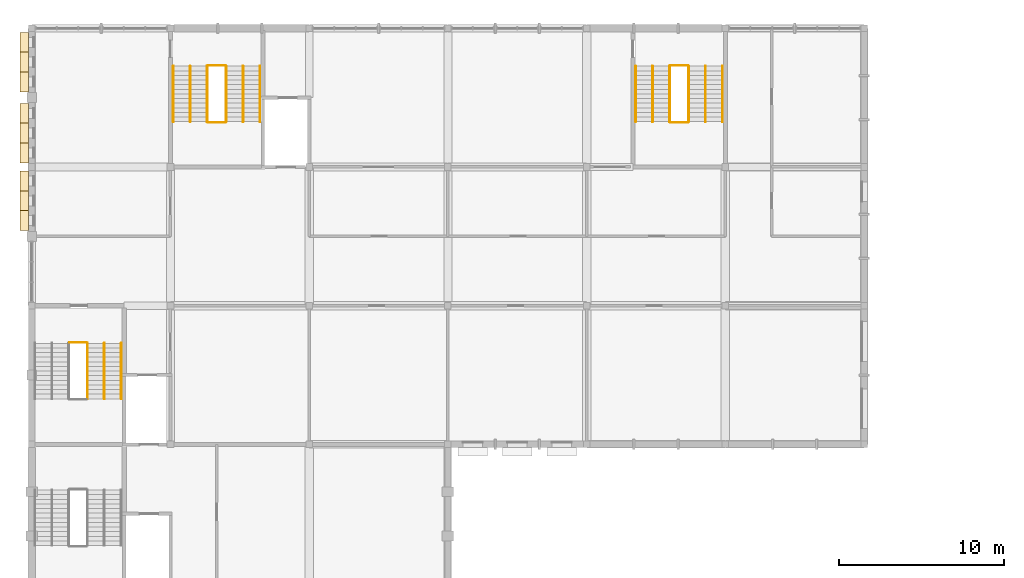
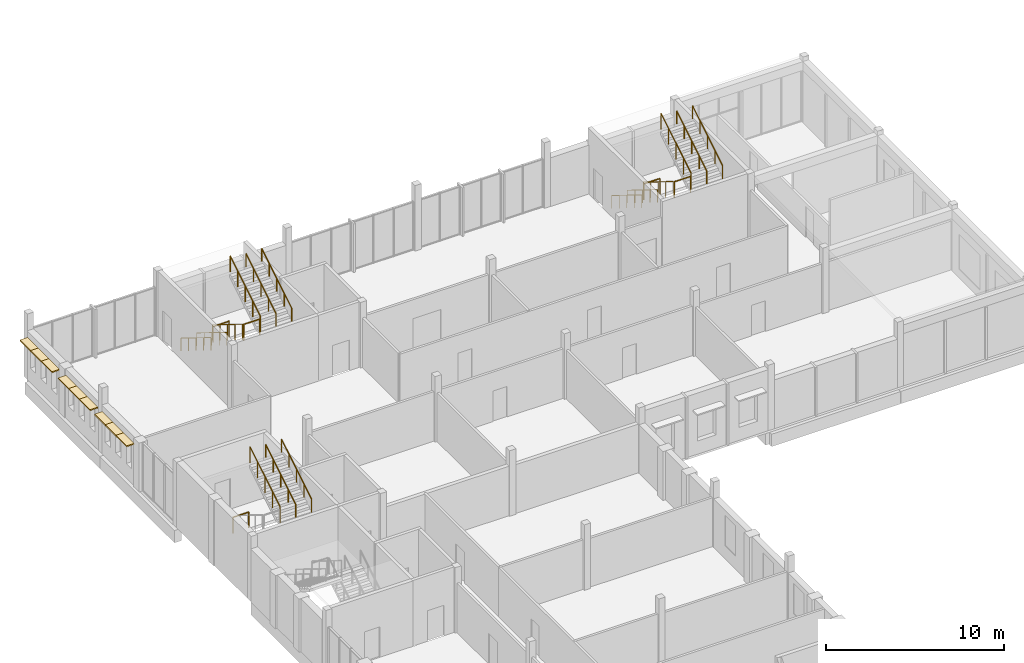
# One storey, part 22 of 22: 20 railings, 9 coverings.
"""IFC4 building model written with IfcOpenShell, lengths in metres."""

from ifc_helpers import new_model, si_unit, direction, frame, origin, origin_2d, place, context, subcontext, project, spatial, rectangle, circle, extrude, material, layer, layer_set, type_object, element, save


model = new_model("IFC4")

# Units and contexts
model_context = context("Model", 3, precision=1e-05, world=origin(), true_north=direction((0.0, 1.0)))
body_context = subcontext(model_context, "Body", "Model", "MODEL_VIEW")
ifc_project = project(units=[si_unit("LENGTHUNIT", "METRE"), si_unit("AREAUNIT", "SQUARE_METRE"), si_unit("VOLUMEUNIT", "CUBIC_METRE"), si_unit("PLANEANGLEUNIT", "RADIAN"), si_unit("MASSUNIT", "GRAM", prefix="KILO")], contexts=[model_context])

# Site, building, storey
site_placement = place(None, origin())
site = spatial("IfcSite", under=ifc_project, at=site_placement, CompositionType="ELEMENT")
building_placement = place(site_placement, origin())
building = spatial("IfcBuilding", under=site, at=building_placement, Name="Fescue Hill Polytechnic", CompositionType="ELEMENT")
storey_placement = place(building_placement, frame((0.0, 0.0, 27.0)))
storey = spatial("IfcBuildingStorey", under=building, at=storey_placement, Name="L06", CompositionType="ELEMENT", Elevation=27.0)

# Coverings
ifc_material_1 = material(Name="Precast concrete C40/50", Category="concrete")
ifc_layer = layer(ifc_material_1, 0.080078125)
ifc_layer_set = layer_set([ifc_layer], Name="Precast concrete C40/50")
covering_type = type_object("IfcCoveringType", Name="Shade blade precast 500x80", PredefinedType="CLADDING", material=ifc_layer_set)
for number, where, z_axis, x_axis, name in (
    (1, (-0.4599609375, 133.550048828125, 2.849853515625), (0.0, 0.0, 1.0), (0.0, -1.0, 0.0), "SB-L06-V5-1"),
    (2, (-0.4599609375, 132.35009765625, 2.849853515625), (0.0, 0.0, 1.0), (0.0, -1.0, 0.0), "SB-L06-V5-2"),
    (3, (-0.4599609375, 131.14990234375, 2.849853515625), (0.0, 0.0, 1.0), (0.0, -1.0, 0.0), "SB-L06-V5-3"),
    (4, (-0.4599609375, 129.25, 2.849853515625), (0.0, 0.0, 1.0), (0.0, -1.0, 0.0), "SB-L06-V5-4"),
    (5, (-0.4599609375, 128.050048828125, 2.849853515625), (0.0, 0.0, 1.0), (0.0, -1.0, 0.0), "SB-L06-V5-5"),
    (6, (-0.4599609375, 126.85009765625, 2.849853515625), (0.0, 0.0, 1.0), (0.0, -1.0, 0.0), "SB-L06-V5-6"),
    (7, (-0.4599609375, 125.14990234375, 2.849853515625), (0.0, 0.0, 1.0), (0.0, -1.0, 0.0), "SB-L06-V5-7"),
    (8, (-0.4599609375, 123.949951171875, 2.849853515625), (0.0, 0.0, 1.0), (0.0, -1.0, 0.0), "SB-L06-V5-8"),
    (9, (-0.4599609375, 122.75, 2.849853515625), (0.0, 0.0, 1.0), (0.0, -1.0, 0.0), "SB-L06-V5-9"),
):
    element("IfcCovering", number, at=place(storey_placement, frame(where, z_axis=z_axis, x_axis=x_axis)), inside=storey, type_object=covering_type, Name=name, PredefinedType="CLADDING", context=body_context, shape_type="SweptSolid", body=[
        extrude(rectangle(XDim=1.199951171875, YDim=0.5, at=origin_2d()), origin(), (0.0, 0.0, 1.0), 0.080078125),
    ])

# Railings
ifc_material_2 = material(Name="Steel 350W (350 MPa)", Category="steel")
railing_type_1 = type_object("IfcRailingType", Name="Stair guard steel 1100", PredefinedType="GUARDRAIL", material=ifc_material_2)
railing_1_placement = place(storey_placement, frame((3.375, 111.965087890625, 2.423095703125)))
element("IfcRailing", 10, at=railing_1_placement, inside=storey, type_object=railing_type_1, Name="L06 ST-V5-1 stair guard 3", PredefinedType="GUARDRAIL", context=body_context, shape_type="SweptSolid", body=[
    extrude(circle(Radius=0.02392578125, at=origin_2d()), frame((0.0, 0.0, 1.076171875), z_axis=(0.0, 0.850606129759, 0.525803396734), x_axis=(-1.0, 0.0, 0.0)), (0.0, 0.0, 1.0), 3.949951171875),
    extrude(circle(Radius=0.02099609375, at=origin_2d()), origin(), (0.0, 0.0, 1.0), 1.052001953125),
    extrude(circle(Radius=0.02099609375, at=origin_2d()), frame((0.0, 0.83984375, 0.519287109375)), (0.0, 0.0, 1.0), 1.052001953125),
    extrude(circle(Radius=0.02099609375, at=origin_2d()), frame((0.0, 1.679931640625, 1.03857421875)), (0.0, 0.0, 1.0), 1.052001953125),
    extrude(circle(Radius=0.02099609375, at=origin_2d()), frame((0.0, 2.52001953125, 1.5576171875)), (0.0, 0.0, 1.0), 1.052001953125),
    extrude(circle(Radius=0.02099609375, at=origin_2d()), frame((0.0, 3.35986328125, 2.076904296875)), (0.0, 0.0, 1.0), 1.052001953125),
])
railing_2_placement = place(storey_placement, frame((2.300048828125, 115.375, 0.0)))
element("IfcRailing", 11, at=railing_2_placement, inside=storey, type_object=railing_type_1, Name="L06 ST-V5-1 stair guard 4", PredefinedType="GUARDRAIL", context=body_context, shape_type="SweptSolid", body=[
    extrude(circle(Radius=0.02392578125, at=origin_2d()), frame((0.0, 0.0, 1.076171875), z_axis=(1.0, 0.0, 0.0), x_axis=(0.0, 1.0, 0.0)), (0.0, 0.0, 1.0), 1.02490234375),
    extrude(circle(Radius=0.02099609375, at=origin_2d()), origin(), (0.0, 0.0, 1.0), 1.052001953125),
    extrude(circle(Radius=0.02099609375, at=origin_2d()), frame((1.02490234375, 0.0, 0.0)), (0.0, 0.0, 1.0), 1.052001953125),
])
railing_3_placement = place(storey_placement, frame((38.625, 132.10009765625, 0.173095703125)))
element("IfcRailing", 12, at=railing_3_placement, inside=storey, type_object=railing_type_1, Name="L06 ST-V5-2 stair guard 1", PredefinedType="GUARDRAIL", context=body_context, shape_type="SweptSolid", body=[
    extrude(circle(Radius=0.02392578125, at=origin_2d()), frame((0.0, 0.0, 1.076171875), z_axis=(0.0, -0.850623216509, 0.525775754039), x_axis=(1.0, 0.0, 0.0)), (0.0, 0.0, 1.0), 3.9501953125),
    extrude(circle(Radius=0.02099609375, at=origin_2d()), origin(), (0.0, 0.0, 1.0), 1.052001953125),
    extrude(circle(Radius=0.02099609375, at=origin_2d()), frame((0.0, -0.840087890625, 0.519287109375)), (0.0, 0.0, 1.0), 1.052001953125),
    extrude(circle(Radius=0.02099609375, at=origin_2d()), frame((0.0, -1.68017578125, 1.03857421875)), (0.0, 0.0, 1.0), 1.052001953125),
    extrude(circle(Radius=0.02099609375, at=origin_2d()), frame((0.0, -2.52001953125, 1.5576171875)), (0.0, 0.0, 1.0), 1.052001953125),
    extrude(circle(Radius=0.02099609375, at=origin_2d()), frame((0.0, -3.360107421875, 2.076904296875)), (0.0, 0.0, 1.0), 1.052001953125),
])
railing_4_placement = place(storey_placement, frame((38.675048828125, 128.68994140625, 2.25)))
element("IfcRailing", 13, at=railing_4_placement, inside=storey, type_object=railing_type_1, Name="L06 ST-V5-2 stair guard 2", PredefinedType="GUARDRAIL", context=body_context, shape_type="SweptSolid", body=[
    extrude(circle(Radius=0.02392578125, at=origin_2d()), frame((0.0, 0.0, 1.076171875), z_axis=(1.0, 0.0, 0.0), x_axis=(0.0, 1.0, 0.0)), (0.0, 0.0, 1.0), 1.050048828125),
    extrude(circle(Radius=0.02099609375, at=origin_2d()), origin(), (0.0, 0.0, 1.0), 1.052001953125),
    extrude(circle(Radius=0.02099609375, at=origin_2d()), frame((1.050048828125, 0.0, 0.0)), (0.0, 0.0, 1.0), 1.052001953125),
])
railing_5_placement = place(storey_placement, frame((39.77490234375, 128.739990234375, 2.423095703125)))
element("IfcRailing", 14, at=railing_5_placement, inside=storey, type_object=railing_type_1, Name="L06 ST-V5-2 stair guard 3", PredefinedType="GUARDRAIL", context=body_context, shape_type="SweptSolid", body=[
    extrude(circle(Radius=0.02392578125, at=origin_2d()), frame((0.0, 0.0, 1.076171875), z_axis=(0.0, 0.850623216509, 0.525775754039), x_axis=(-1.0, 0.0, 0.0)), (0.0, 0.0, 1.0), 3.9501953125),
    extrude(circle(Radius=0.02099609375, at=origin_2d()), origin(), (0.0, 0.0, 1.0), 1.052001953125),
    extrude(circle(Radius=0.02099609375, at=origin_2d()), frame((0.0, 0.840087890625, 0.519287109375)), (0.0, 0.0, 1.0), 1.052001953125),
    extrude(circle(Radius=0.02099609375, at=origin_2d()), frame((0.0, 1.68017578125, 1.03857421875)), (0.0, 0.0, 1.0), 1.052001953125),
    extrude(circle(Radius=0.02099609375, at=origin_2d()), frame((0.0, 2.52001953125, 1.5576171875)), (0.0, 0.0, 1.0), 1.052001953125),
    extrude(circle(Radius=0.02099609375, at=origin_2d()), frame((0.0, 3.360107421875, 2.076904296875)), (0.0, 0.0, 1.0), 1.052001953125),
])
railing_6_placement = place(storey_placement, frame((38.675048828125, 132.14990234375, 0.0)))
element("IfcRailing", 15, at=railing_6_placement, inside=storey, type_object=railing_type_1, Name="L06 ST-V5-2 stair guard 4", PredefinedType="GUARDRAIL", context=body_context, shape_type="SweptSolid", body=[
    extrude(circle(Radius=0.02392578125, at=origin_2d()), frame((0.0, 0.0, 1.076171875), z_axis=(1.0, 0.0, 0.0), x_axis=(0.0, 1.0, 0.0)), (0.0, 0.0, 1.0), 1.050048828125),
    extrude(circle(Radius=0.02099609375, at=origin_2d()), origin(), (0.0, 0.0, 1.0), 1.052001953125),
    extrude(circle(Radius=0.02099609375, at=origin_2d()), frame((1.050048828125, 0.0, 0.0)), (0.0, 0.0, 1.0), 1.052001953125),
])
railing_7_placement = place(storey_placement, frame((10.625, 132.10009765625, 0.173095703125)))
element("IfcRailing", 16, at=railing_7_placement, inside=storey, type_object=railing_type_1, Name="L06 ST-V5-3 stair guard 1", PredefinedType="GUARDRAIL", context=body_context, shape_type="SweptSolid", body=[
    extrude(circle(Radius=0.02392578125, at=origin_2d()), frame((0.0, 0.0, 1.076171875), z_axis=(0.0, -0.850623216509, 0.525775754039), x_axis=(1.0, 0.0, 0.0)), (0.0, 0.0, 1.0), 3.9501953125),
    extrude(circle(Radius=0.02099609375, at=origin_2d()), origin(), (0.0, 0.0, 1.0), 1.052001953125),
    extrude(circle(Radius=0.02099609375, at=origin_2d()), frame((0.0, -0.840087890625, 0.519287109375)), (0.0, 0.0, 1.0), 1.052001953125),
    extrude(circle(Radius=0.02099609375, at=origin_2d()), frame((0.0, -1.68017578125, 1.03857421875)), (0.0, 0.0, 1.0), 1.052001953125),
    extrude(circle(Radius=0.02099609375, at=origin_2d()), frame((0.0, -2.52001953125, 1.5576171875)), (0.0, 0.0, 1.0), 1.052001953125),
    extrude(circle(Radius=0.02099609375, at=origin_2d()), frame((0.0, -3.360107421875, 2.076904296875)), (0.0, 0.0, 1.0), 1.052001953125),
])
railing_8_placement = place(storey_placement, frame((10.675048828125, 128.68994140625, 2.25)))
element("IfcRailing", 17, at=railing_8_placement, inside=storey, type_object=railing_type_1, Name="L06 ST-V5-3 stair guard 2", PredefinedType="GUARDRAIL", context=body_context, shape_type="SweptSolid", body=[
    extrude(circle(Radius=0.02392578125, at=origin_2d()), frame((0.0, 0.0, 1.076171875), z_axis=(1.0, 0.0, 0.0), x_axis=(0.0, 1.0, 0.0)), (0.0, 0.0, 1.0), 1.050048828125),
    extrude(circle(Radius=0.02099609375, at=origin_2d()), origin(), (0.0, 0.0, 1.0), 1.052001953125),
    extrude(circle(Radius=0.02099609375, at=origin_2d()), frame((1.050048828125, 0.0, 0.0)), (0.0, 0.0, 1.0), 1.052001953125),
])
railing_9_placement = place(storey_placement, frame((11.77490234375, 128.739990234375, 2.423095703125)))
element("IfcRailing", 18, at=railing_9_placement, inside=storey, type_object=railing_type_1, Name="L06 ST-V5-3 stair guard 3", PredefinedType="GUARDRAIL", context=body_context, shape_type="SweptSolid", body=[
    extrude(circle(Radius=0.02392578125, at=origin_2d()), frame((0.0, 0.0, 1.076171875), z_axis=(0.0, 0.850623216509, 0.525775754039), x_axis=(-1.0, 0.0, 0.0)), (0.0, 0.0, 1.0), 3.9501953125),
    extrude(circle(Radius=0.02099609375, at=origin_2d()), origin(), (0.0, 0.0, 1.0), 1.052001953125),
    extrude(circle(Radius=0.02099609375, at=origin_2d()), frame((0.0, 0.840087890625, 0.519287109375)), (0.0, 0.0, 1.0), 1.052001953125),
    extrude(circle(Radius=0.02099609375, at=origin_2d()), frame((0.0, 1.68017578125, 1.03857421875)), (0.0, 0.0, 1.0), 1.052001953125),
    extrude(circle(Radius=0.02099609375, at=origin_2d()), frame((0.0, 2.52001953125, 1.5576171875)), (0.0, 0.0, 1.0), 1.052001953125),
    extrude(circle(Radius=0.02099609375, at=origin_2d()), frame((0.0, 3.360107421875, 2.076904296875)), (0.0, 0.0, 1.0), 1.052001953125),
])
railing_10_placement = place(storey_placement, frame((10.675048828125, 132.14990234375, 0.0)))
element("IfcRailing", 19, at=railing_10_placement, inside=storey, type_object=railing_type_1, Name="L06 ST-V5-3 stair guard 4", PredefinedType="GUARDRAIL", context=body_context, shape_type="SweptSolid", body=[
    extrude(circle(Radius=0.02392578125, at=origin_2d()), frame((0.0, 0.0, 1.076171875), z_axis=(1.0, 0.0, 0.0), x_axis=(0.0, 1.0, 0.0)), (0.0, 0.0, 1.0), 1.050048828125),
    extrude(circle(Radius=0.02099609375, at=origin_2d()), origin(), (0.0, 0.0, 1.0), 1.052001953125),
    extrude(circle(Radius=0.02099609375, at=origin_2d()), frame((1.050048828125, 0.0, 0.0)), (0.0, 0.0, 1.0), 1.052001953125),
])
railing_type_2 = type_object("IfcRailingType", Name="Stair handrail steel 900", PredefinedType="HANDRAIL", material=ifc_material_2)
for number, where, name in (
    (20, (5.425048828125, 111.965087890625, 2.423095703125), "L06 ST-V5-1 stair handrail 2"),
    (21, (4.39990234375, 111.965087890625, 2.423095703125), "L06 ST-V5-1 stair handrail 4"),
):
    element("IfcRailing", number, at=place(storey_placement, frame(where)), inside=storey, type_object=railing_type_2, Name=name, PredefinedType="HANDRAIL", context=body_context, shape_type="SweptSolid", body=[
        extrude(circle(Radius=0.02392578125, at=origin_2d()), frame((0.0, 0.0, 0.8759765625), z_axis=(0.0, 0.850606129759, 0.525803396734), x_axis=(-1.0, 0.0, 0.0)), (0.0, 0.0, 1.0), 3.949951171875),
        extrude(circle(Radius=0.02099609375, at=origin_2d()), origin(), (0.0, 0.0, 1.0), 0.851806640625),
        extrude(circle(Radius=0.02099609375, at=origin_2d()), frame((0.0, 0.83984375, 0.519287109375)), (0.0, 0.0, 1.0), 0.851806640625),
        extrude(circle(Radius=0.02099609375, at=origin_2d()), frame((0.0, 1.679931640625, 1.03857421875)), (0.0, 0.0, 1.0), 0.851806640625),
        extrude(circle(Radius=0.02099609375, at=origin_2d()), frame((0.0, 2.52001953125, 1.5576171875)), (0.0, 0.0, 1.0), 0.851806640625),
        extrude(circle(Radius=0.02099609375, at=origin_2d()), frame((0.0, 3.35986328125, 2.076904296875)), (0.0, 0.0, 1.0), 0.851806640625),
    ])
railing_11_placement = place(storey_placement, frame((36.574951171875, 132.10009765625, 0.173095703125)))
element("IfcRailing", 22, at=railing_11_placement, inside=storey, type_object=railing_type_2, Name="L06 ST-V5-2 stair handrail 1", PredefinedType="HANDRAIL", context=body_context, shape_type="SweptSolid", body=[
    extrude(circle(Radius=0.02392578125, at=origin_2d()), frame((0.0, 0.0, 0.8759765625), z_axis=(0.0, -0.850623216509, 0.525775754039), x_axis=(1.0, 0.0, 0.0)), (0.0, 0.0, 1.0), 3.9501953125),
    extrude(circle(Radius=0.02099609375, at=origin_2d()), origin(), (0.0, 0.0, 1.0), 0.851806640625),
    extrude(circle(Radius=0.02099609375, at=origin_2d()), frame((0.0, -0.840087890625, 0.519287109375)), (0.0, 0.0, 1.0), 0.851806640625),
    extrude(circle(Radius=0.02099609375, at=origin_2d()), frame((0.0, -1.68017578125, 1.03857421875)), (0.0, 0.0, 1.0), 0.851806640625),
    extrude(circle(Radius=0.02099609375, at=origin_2d()), frame((0.0, -2.52001953125, 1.5576171875)), (0.0, 0.0, 1.0), 0.851806640625),
    extrude(circle(Radius=0.02099609375, at=origin_2d()), frame((0.0, -3.360107421875, 2.076904296875)), (0.0, 0.0, 1.0), 0.851806640625),
])
railing_12_placement = place(storey_placement, frame((41.824951171875, 128.739990234375, 2.423095703125)))
element("IfcRailing", 23, at=railing_12_placement, inside=storey, type_object=railing_type_2, Name="L06 ST-V5-2 stair handrail 2", PredefinedType="HANDRAIL", context=body_context, shape_type="SweptSolid", body=[
    extrude(circle(Radius=0.02392578125, at=origin_2d()), frame((0.0, 0.0, 0.8759765625), z_axis=(0.0, 0.850623216509, 0.525775754039), x_axis=(-1.0, 0.0, 0.0)), (0.0, 0.0, 1.0), 3.9501953125),
    extrude(circle(Radius=0.02099609375, at=origin_2d()), origin(), (0.0, 0.0, 1.0), 0.851806640625),
    extrude(circle(Radius=0.02099609375, at=origin_2d()), frame((0.0, 0.840087890625, 0.519287109375)), (0.0, 0.0, 1.0), 0.851806640625),
    extrude(circle(Radius=0.02099609375, at=origin_2d()), frame((0.0, 1.68017578125, 1.03857421875)), (0.0, 0.0, 1.0), 0.851806640625),
    extrude(circle(Radius=0.02099609375, at=origin_2d()), frame((0.0, 2.52001953125, 1.5576171875)), (0.0, 0.0, 1.0), 0.851806640625),
    extrude(circle(Radius=0.02099609375, at=origin_2d()), frame((0.0, 3.360107421875, 2.076904296875)), (0.0, 0.0, 1.0), 0.851806640625),
])
railing_13_placement = place(storey_placement, frame((37.60009765625, 132.10009765625, 0.173095703125)))
element("IfcRailing", 24, at=railing_13_placement, inside=storey, type_object=railing_type_2, Name="L06 ST-V5-2 stair handrail 3", PredefinedType="HANDRAIL", context=body_context, shape_type="SweptSolid", body=[
    extrude(circle(Radius=0.02392578125, at=origin_2d()), frame((0.0, 0.0, 0.8759765625), z_axis=(0.0, -0.850623216509, 0.525775754039), x_axis=(1.0, 0.0, 0.0)), (0.0, 0.0, 1.0), 3.9501953125),
    extrude(circle(Radius=0.02099609375, at=origin_2d()), origin(), (0.0, 0.0, 1.0), 0.851806640625),
    extrude(circle(Radius=0.02099609375, at=origin_2d()), frame((0.0, -0.840087890625, 0.519287109375)), (0.0, 0.0, 1.0), 0.851806640625),
    extrude(circle(Radius=0.02099609375, at=origin_2d()), frame((0.0, -1.68017578125, 1.03857421875)), (0.0, 0.0, 1.0), 0.851806640625),
    extrude(circle(Radius=0.02099609375, at=origin_2d()), frame((0.0, -2.52001953125, 1.5576171875)), (0.0, 0.0, 1.0), 0.851806640625),
    extrude(circle(Radius=0.02099609375, at=origin_2d()), frame((0.0, -3.360107421875, 2.076904296875)), (0.0, 0.0, 1.0), 0.851806640625),
])
railing_14_placement = place(storey_placement, frame((40.800048828125, 128.739990234375, 2.423095703125)))
element("IfcRailing", 25, at=railing_14_placement, inside=storey, type_object=railing_type_2, Name="L06 ST-V5-2 stair handrail 4", PredefinedType="HANDRAIL", context=body_context, shape_type="SweptSolid", body=[
    extrude(circle(Radius=0.02392578125, at=origin_2d()), frame((0.0, 0.0, 0.8759765625), z_axis=(0.0, 0.850623216509, 0.525775754039), x_axis=(-1.0, 0.0, 0.0)), (0.0, 0.0, 1.0), 3.9501953125),
    extrude(circle(Radius=0.02099609375, at=origin_2d()), origin(), (0.0, 0.0, 1.0), 0.851806640625),
    extrude(circle(Radius=0.02099609375, at=origin_2d()), frame((0.0, 0.840087890625, 0.519287109375)), (0.0, 0.0, 1.0), 0.851806640625),
    extrude(circle(Radius=0.02099609375, at=origin_2d()), frame((0.0, 1.68017578125, 1.03857421875)), (0.0, 0.0, 1.0), 0.851806640625),
    extrude(circle(Radius=0.02099609375, at=origin_2d()), frame((0.0, 2.52001953125, 1.5576171875)), (0.0, 0.0, 1.0), 0.851806640625),
    extrude(circle(Radius=0.02099609375, at=origin_2d()), frame((0.0, 3.360107421875, 2.076904296875)), (0.0, 0.0, 1.0), 0.851806640625),
])
railing_15_placement = place(storey_placement, frame((8.574951171875, 132.10009765625, 0.173095703125)))
element("IfcRailing", 26, at=railing_15_placement, inside=storey, type_object=railing_type_2, Name="L06 ST-V5-3 stair handrail 1", PredefinedType="HANDRAIL", context=body_context, shape_type="SweptSolid", body=[
    extrude(circle(Radius=0.02392578125, at=origin_2d()), frame((0.0, 0.0, 0.8759765625), z_axis=(0.0, -0.850623216509, 0.525775754039), x_axis=(1.0, 0.0, 0.0)), (0.0, 0.0, 1.0), 3.9501953125),
    extrude(circle(Radius=0.02099609375, at=origin_2d()), origin(), (0.0, 0.0, 1.0), 0.851806640625),
    extrude(circle(Radius=0.02099609375, at=origin_2d()), frame((0.0, -0.840087890625, 0.519287109375)), (0.0, 0.0, 1.0), 0.851806640625),
    extrude(circle(Radius=0.02099609375, at=origin_2d()), frame((0.0, -1.68017578125, 1.03857421875)), (0.0, 0.0, 1.0), 0.851806640625),
    extrude(circle(Radius=0.02099609375, at=origin_2d()), frame((0.0, -2.52001953125, 1.5576171875)), (0.0, 0.0, 1.0), 0.851806640625),
    extrude(circle(Radius=0.02099609375, at=origin_2d()), frame((0.0, -3.360107421875, 2.076904296875)), (0.0, 0.0, 1.0), 0.851806640625),
])
railing_16_placement = place(storey_placement, frame((13.824951171875, 128.739990234375, 2.423095703125)))
element("IfcRailing", 27, at=railing_16_placement, inside=storey, type_object=railing_type_2, Name="L06 ST-V5-3 stair handrail 2", PredefinedType="HANDRAIL", context=body_context, shape_type="SweptSolid", body=[
    extrude(circle(Radius=0.02392578125, at=origin_2d()), frame((0.0, 0.0, 0.8759765625), z_axis=(0.0, 0.850623216509, 0.525775754039), x_axis=(-1.0, 0.0, 0.0)), (0.0, 0.0, 1.0), 3.9501953125),
    extrude(circle(Radius=0.02099609375, at=origin_2d()), origin(), (0.0, 0.0, 1.0), 0.851806640625),
    extrude(circle(Radius=0.02099609375, at=origin_2d()), frame((0.0, 0.840087890625, 0.519287109375)), (0.0, 0.0, 1.0), 0.851806640625),
    extrude(circle(Radius=0.02099609375, at=origin_2d()), frame((0.0, 1.68017578125, 1.03857421875)), (0.0, 0.0, 1.0), 0.851806640625),
    extrude(circle(Radius=0.02099609375, at=origin_2d()), frame((0.0, 2.52001953125, 1.5576171875)), (0.0, 0.0, 1.0), 0.851806640625),
    extrude(circle(Radius=0.02099609375, at=origin_2d()), frame((0.0, 3.360107421875, 2.076904296875)), (0.0, 0.0, 1.0), 0.851806640625),
])
railing_17_placement = place(storey_placement, frame((9.60009765625, 132.10009765625, 0.173095703125)))
element("IfcRailing", 28, at=railing_17_placement, inside=storey, type_object=railing_type_2, Name="L06 ST-V5-3 stair handrail 3", PredefinedType="HANDRAIL", context=body_context, shape_type="SweptSolid", body=[
    extrude(circle(Radius=0.02392578125, at=origin_2d()), frame((0.0, 0.0, 0.8759765625), z_axis=(0.0, -0.850623216509, 0.525775754039), x_axis=(1.0, 0.0, 0.0)), (0.0, 0.0, 1.0), 3.9501953125),
    extrude(circle(Radius=0.02099609375, at=origin_2d()), origin(), (0.0, 0.0, 1.0), 0.851806640625),
    extrude(circle(Radius=0.02099609375, at=origin_2d()), frame((0.0, -0.840087890625, 0.519287109375)), (0.0, 0.0, 1.0), 0.851806640625),
    extrude(circle(Radius=0.02099609375, at=origin_2d()), frame((0.0, -1.68017578125, 1.03857421875)), (0.0, 0.0, 1.0), 0.851806640625),
    extrude(circle(Radius=0.02099609375, at=origin_2d()), frame((0.0, -2.52001953125, 1.5576171875)), (0.0, 0.0, 1.0), 0.851806640625),
    extrude(circle(Radius=0.02099609375, at=origin_2d()), frame((0.0, -3.360107421875, 2.076904296875)), (0.0, 0.0, 1.0), 0.851806640625),
])
railing_18_placement = place(storey_placement, frame((12.800048828125, 128.739990234375, 2.423095703125)))
element("IfcRailing", 29, at=railing_18_placement, inside=storey, type_object=railing_type_2, Name="L06 ST-V5-3 stair handrail 4", PredefinedType="HANDRAIL", context=body_context, shape_type="SweptSolid", body=[
    extrude(circle(Radius=0.02392578125, at=origin_2d()), frame((0.0, 0.0, 0.8759765625), z_axis=(0.0, 0.850623216509, 0.525775754039), x_axis=(-1.0, 0.0, 0.0)), (0.0, 0.0, 1.0), 3.9501953125),
    extrude(circle(Radius=0.02099609375, at=origin_2d()), origin(), (0.0, 0.0, 1.0), 0.851806640625),
    extrude(circle(Radius=0.02099609375, at=origin_2d()), frame((0.0, 0.840087890625, 0.519287109375)), (0.0, 0.0, 1.0), 0.851806640625),
    extrude(circle(Radius=0.02099609375, at=origin_2d()), frame((0.0, 1.68017578125, 1.03857421875)), (0.0, 0.0, 1.0), 0.851806640625),
    extrude(circle(Radius=0.02099609375, at=origin_2d()), frame((0.0, 2.52001953125, 1.5576171875)), (0.0, 0.0, 1.0), 0.851806640625),
    extrude(circle(Radius=0.02099609375, at=origin_2d()), frame((0.0, 3.360107421875, 2.076904296875)), (0.0, 0.0, 1.0), 0.851806640625),
])

save(model, "model.ifc")
